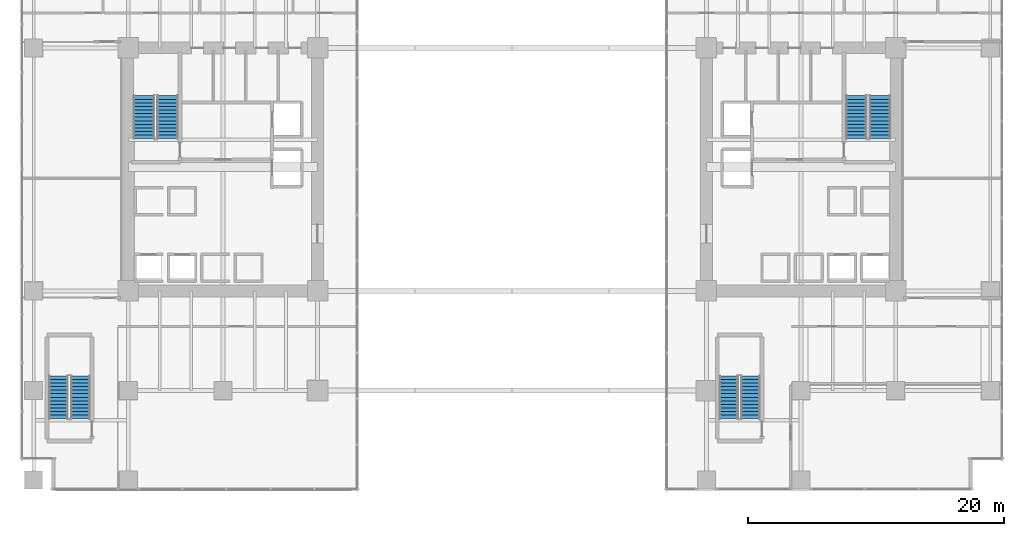
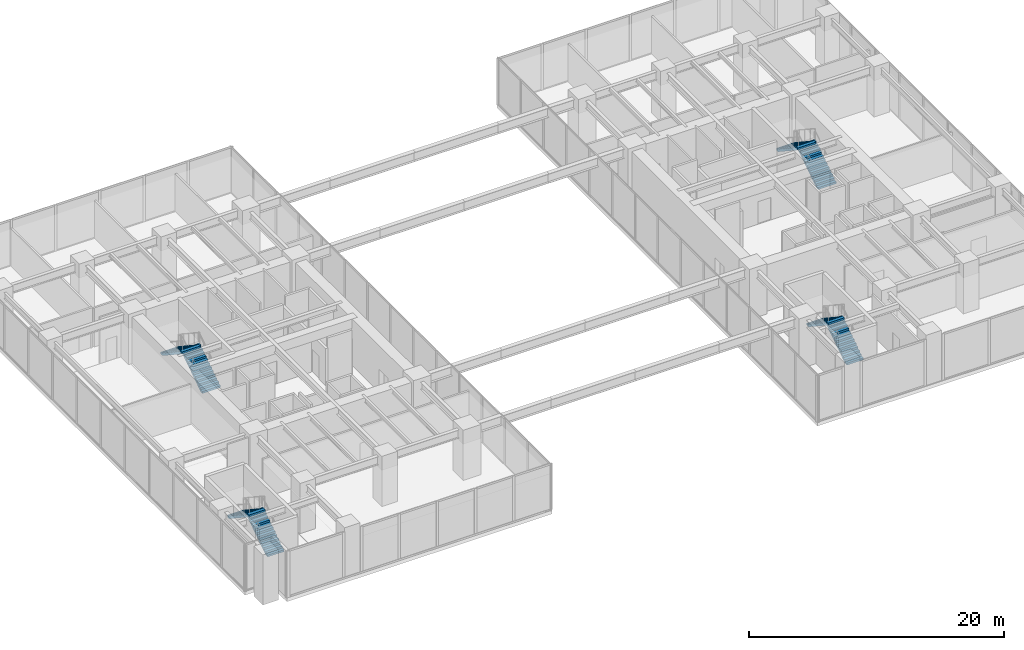
# One storey, part 34 of 39: 8 stair flights, 4 elements without a shape of their own.
"""IFC4 building model written with IfcOpenShell, lengths in metres."""

import ifcopenshell
import ifcopenshell.guid

model = None  # the IFC model being written
_history = None  # IfcOwnerHistory: only IFC2X3 demands one
_inside = {}  # id of a spatial element -> (the spatial element, [elements in it])
_under = {}  # id of a project, library or spatial element -> (it, [spatial elements below it])
_declared = {}  # id of a project -> (the project, [libraries it declares])
_typed = {}  # id of a type object -> (the type object, [elements of that type])
_made_of = {}  # id of a material, layer set ... -> (it, [elements and type objects made of it])


def new_model(schema):
    """Start an empty IFC model of exactly this schema.

    Asked for "IFC4X3", IfcOpenShell would pick the latest addendum, in which some entities
    have other attributes; the version numbers below select the first issue.
    IFC2X3 requires an IfcOwnerHistory on every rooted entity: one is made here for all.
    """
    global model, _history
    if schema == "IFC4X3":
        model = ifcopenshell.file(schema_version=(4, 3, 0, 0))
    else:
        model = ifcopenshell.file(schema=schema)
    _inside.clear()
    _under.clear()
    _declared.clear()
    _typed.clear()
    _made_of.clear()
    _history = None
    if model.schema == "IFC2X3":
        org = make("IfcOrganization", Name="unknown")
        user = make(
            "IfcPersonAndOrganization",
            ThePerson=make("IfcPerson", FamilyName="unknown"),
            TheOrganization=org,
        )
        app = make(
            "IfcApplication",
            ApplicationDeveloper=org,
            Version="unknown",
            ApplicationFullName="unknown",
            ApplicationIdentifier="unknown",
        )
        _history = make(
            "IfcOwnerHistory",
            OwningUser=user,
            OwningApplication=app,
            ChangeAction="ADDED",
            CreationDate=0,
        )
    return model


def make(cls, **values):
    """One entity of the class cls with the attributes given. An attribute that is None is left unset."""
    return model.create_entity(
        cls, **{name: value for name, value in values.items() if value is not None}
    )


def rooted(cls, **values):
    """An entity with a GlobalId (a new one), such as an element, a storey or a relation."""
    return make(cls, GlobalId=ifcopenshell.guid.new(), OwnerHistory=_history, **values)


def si_unit(unit_type, name, prefix=None):
    """IfcSIUnit, for example si_unit("LENGTHUNIT", "METRE", prefix="MILLI")."""
    return make("IfcSIUnit", UnitType=unit_type, Prefix=prefix, Name=name)


def assignment(units):
    """IfcUnitAssignment: the units of a project."""
    return None if units is None else make("IfcUnitAssignment", Units=units)


def point(xyz):
    """IfcCartesianPoint."""
    return None if xyz is None else make("IfcCartesianPoint", Coordinates=xyz)


def direction(xyz):
    """IfcDirection."""
    return None if xyz is None else make("IfcDirection", DirectionRatios=xyz)


def frame(location, z_axis=None, x_axis=None):
    """IfcAxis2Placement3D, a coordinate frame: its origin and axes. An axis left out is left unset."""
    return make(
        "IfcAxis2Placement3D",
        Location=point(location),
        Axis=direction(z_axis),
        RefDirection=direction(x_axis),
    )


def origin():
    """The frame at (0, 0, 0) with its axes left unset."""
    return frame((0.0, 0.0, 0.0))


def place(relative_to, where):
    """IfcLocalPlacement: puts the frame where relative to a parent placement (None: the world)."""
    return make(
        "IfcLocalPlacement", PlacementRelTo=relative_to, RelativePlacement=where
    )


def context(
    kind, dimensions, precision=None, world=None, true_north=None, identifier=None
):
    """IfcGeometricRepresentationContext, for example the 3D "Model" context."""
    return make(
        "IfcGeometricRepresentationContext",
        ContextIdentifier=identifier,
        ContextType=kind,
        CoordinateSpaceDimension=dimensions,
        Precision=precision,
        WorldCoordinateSystem=world,
        TrueNorth=true_north,
    )


def subcontext(parent, identifier, kind, view, scale=None):
    """IfcGeometricRepresentationSubContext, for example "Body" below "Model"."""
    return make(
        "IfcGeometricRepresentationSubContext",
        ContextIdentifier=identifier,
        ContextType=kind,
        ParentContext=parent,
        TargetScale=scale,
        TargetView=view,
    )


def project(units=None, contexts=None):
    """IfcProject with its units and contexts."""
    return rooted(
        "IfcProject",
        Name="project",
        RepresentationContexts=contexts,
        UnitsInContext=assignment(units),
    )


def spatial(cls, under=None, at=None, **own):
    """A site, building, storey or space (cls), placed at a placement, below another one or the project."""
    s = rooted(cls, ObjectPlacement=at, **own)
    if under is not None:
        _under.setdefault(under.id(), (under, []))[1].append(s)
    return s


def polyline(points):
    """IfcPolyline through the points."""
    return make("IfcPolyline", Points=[point(p) for p in points])


def outline(outer, holes=None, kind="AREA"):
    """IfcArbitraryClosedProfileDef: a profile drawn as a closed curve; with holes, ...WithVoids."""
    if holes is None:
        return make("IfcArbitraryClosedProfileDef", ProfileType=kind, OuterCurve=outer)
    return make(
        "IfcArbitraryProfileDefWithVoids",
        ProfileType=kind,
        OuterCurve=outer,
        InnerCurves=holes,
    )


def extrude(swept, where, along, depth):
    """IfcExtrudedAreaSolid: the profile swept, set in the frame where, extruded along a direction by depth."""
    return make(
        "IfcExtrudedAreaSolid",
        SweptArea=swept,
        Position=where,
        ExtrudedDirection=direction(along),
        Depth=depth,
    )


def shape(context_of_items, identifier, shape_type, items):
    """IfcShapeRepresentation: the items that make up one representation, for example the "Body"."""
    return make(
        "IfcShapeRepresentation",
        ContextOfItems=context_of_items,
        RepresentationIdentifier=identifier,
        RepresentationType=shape_type,
        Items=items,
    )


def source(mapping_origin, context_of_items, identifier, shape_type, items):
    """IfcRepresentationMap: a shape defined once, which mapped items show again and again."""
    return make(
        "IfcRepresentationMap",
        MappingOrigin=mapping_origin,
        MappedRepresentation=shape(context_of_items, identifier, shape_type, items),
    )


def transform(
    local_origin,
    x_axis=None,
    y_axis=None,
    z_axis=None,
    scale=None,
    scale2=None,
    scale3=None,
    uniform=True,
):
    """IfcCartesianTransformationOperator3D, or its non-uniform kind. x_axis, y_axis, z_axis: its Axis1, 2, 3."""
    if uniform:
        return make(
            "IfcCartesianTransformationOperator3D",
            Axis1=direction(x_axis),
            Axis2=direction(y_axis),
            LocalOrigin=point(local_origin),
            Scale=scale,
            Axis3=direction(z_axis),
        )
    return make(
        "IfcCartesianTransformationOperator3DnonUniform",
        Axis1=direction(x_axis),
        Axis2=direction(y_axis),
        LocalOrigin=point(local_origin),
        Scale=scale,
        Axis3=direction(z_axis),
        Scale2=scale2,
        Scale3=scale3,
    )


def mapped(mapping_source, mapping_target):
    """IfcMappedItem: shows the shape of a source again, moved by a transform."""
    return make(
        "IfcMappedItem", MappingSource=mapping_source, MappingTarget=mapping_target
    )


def material(Name=None, Category=None):
    """IfcMaterial."""
    return make("IfcMaterial", Name=Name, Category=Category)


def made_of(thing, what):
    """Note that an element or type object is made of a material, layer set ...; save() writes the relation."""
    if what is not None:
        _made_of.setdefault(what.id(), (what, []))[1].append(thing)
    return thing


def type_object(cls, material=None, **own):
    """A type object (cls), such as IfcWallType, which elements share."""
    return made_of(rooted(cls, **own), material)


def type_shapes(of_type, sources):
    """Give a type object the sources (RepresentationMaps) that its elements show as mapped items."""
    of_type.RepresentationMaps = sources


def element(
    cls,
    number,
    at=None,
    inside=None,
    cuts=None,
    type_object=None,
    material=None,
    context=None,
    identifier="Body",
    shape_type=None,
    held_by="IfcProductDefinitionShape",
    body=None,
    shapes=None,
    **own,
):
    """One element of the class cls, such as IfcWall. Its Tag is "e" and its number.

    at: its placement. inside: the storey or other place that contains it. cuts: it is an
    opening in that element (IfcRelVoidsElement). A single representation is given by context,
    identifier, shape_type and body (its items); several are given by shapes. held_by: the class
    of the entity that holds the representations. save() writes the other relations.
    """
    e = rooted(cls, Tag="e%d" % number, ObjectPlacement=at, **own)
    if body is not None:
        shapes = [shape(context, identifier, shape_type, body)]
    if shapes is not None:
        e.Representation = make(held_by, Representations=shapes)
    if inside is not None:
        _inside.setdefault(inside.id(), (inside, []))[1].append(e)
    if cuts is not None:
        rooted(
            "IfcRelVoidsElement", RelatingBuildingElement=cuts, RelatedOpeningElement=e
        )
    if type_object is not None:
        _typed.setdefault(type_object.id(), (type_object, []))[1].append(e)
    return made_of(e, material)


def aggregate(whole, parts):
    """IfcRelAggregates: a whole, such as a stair, and the parts it consists of."""
    return rooted("IfcRelAggregates", RelatingObject=whole, RelatedObjects=parts)


def save(model, path):
    """Write the relations noted so far, then the file.

    IfcRelAggregates (storeys below a building ...), IfcRelContainedInSpatialStructure (elements
    in a storey), IfcRelDefinesByType, IfcRelAssociatesMaterial and IfcRelDeclares: one each for
    every whole, place, type object, material and project.
    """
    for whole, parts in _under.values():
        aggregate(whole, parts)
    for where, things in _inside.values():
        rooted(
            "IfcRelContainedInSpatialStructure",
            RelatedElements=things,
            RelatingStructure=where,
        )
    for kind, things in _typed.values():
        rooted("IfcRelDefinesByType", RelatedObjects=things, RelatingType=kind)
    for what, things in _made_of.values():
        rooted("IfcRelAssociatesMaterial", RelatedObjects=things, RelatingMaterial=what)
    for by, libraries in _declared.values():
        rooted("IfcRelDeclares", RelatingContext=by, RelatedDefinitions=libraries)
    model.write(path)


model = new_model("IFC4")

# Units and contexts
model_context = context("Model", 3, precision=1e-05, world=origin(), true_north=direction((0.0, 1.0)))
body_context = subcontext(model_context, "Body", "Model", "MODEL_VIEW")
ifc_project = project(units=[si_unit("LENGTHUNIT", "METRE"), si_unit("AREAUNIT", "SQUARE_METRE"), si_unit("VOLUMEUNIT", "CUBIC_METRE"), si_unit("PLANEANGLEUNIT", "RADIAN"), si_unit("MASSUNIT", "GRAM", prefix="KILO")], contexts=[model_context])

# Site, building, storey
site_placement = place(None, origin())
site = spatial("IfcSite", under=ifc_project, at=site_placement, CompositionType="ELEMENT")
building_placement = place(site_placement, origin())
building = spatial("IfcBuilding", under=site, at=building_placement, Name="Haelvirn Gate Laboratories", CompositionType="ELEMENT")
storey_placement = place(building_placement, frame((0.0, 0.0, 15.0)))
storey = spatial("IfcBuildingStorey", under=building, at=storey_placement, Name="L04", CompositionType="ELEMENT", Elevation=15.0)

# Stair, stair flights
ifc_material = material(Name="Concrete C40/50", Category="concrete")
stair_type_1 = type_object("IfcStairType", Name="ST-DOG-1650-R26", PredefinedType="HALF_TURN_STAIR", material=ifc_material)
stair_1_placement = place(storey_placement, origin())
stair_1 = element("IfcStair", 1, at=stair_1_placement, inside=storey, type_object=stair_type_1, Name="L04 Escape Stair ST1", PredefinedType="HALF_TURN_STAIR")
stair_flight_type_1 = type_object("IfcStairFlightType", Name="STF-1650-R13", PredefinedType="STRAIGHT", material=ifc_material)
shared_shape_1 = source(origin(), body_context, "Body", "SweptSolid", [
    extrude(outline(polyline([(0.0, 0.0), (0.0, 0.1845703125), (0.280029296875, 0.1845703125), (0.280029296875, 0.369140625), (0.56005859375, 0.369140625), (0.56005859375, 0.553955078125), (0.840087890625, 0.553955078125), (0.840087890625, 0.738525390625), (1.1201171875, 0.738525390625), (1.1201171875, 0.923095703125), (1.39990234375, 0.923095703125), (1.39990234375, 1.107666015625), (1.679931640625, 1.107666015625), (1.679931640625, 1.292236328125), (1.9599609375, 1.292236328125), (1.9599609375, 1.476806640625), (2.239990234375, 1.476806640625), (2.239990234375, 1.66162109375), (2.52001953125, 1.66162109375), (2.52001953125, 1.84619140625), (2.800048828125, 1.84619140625), (2.800048828125, 2.03076171875), (3.080078125, 2.03076171875), (3.080078125, 2.21533203125), (3.360107421875, 2.21533203125), (3.360107421875, 2.39990234375), (3.360107421875, 2.02392578125), (0.29052734375, 0.0), (0.0, 0.0)])), frame((0.0, 0.824951171875, 0.0), z_axis=(0.0, -1.0, 0.0), x_axis=(1.0, 0.0, 0.0)), (0.0, 0.0, 1.0), 1.64990234375),
])
type_shapes(stair_flight_type_1, [shared_shape_1])
stair_flight_1_placement = place(storey_placement, frame((10.47509765625, 26.699951171875, 0.0), z_axis=(0.0, 0.0, 1.0), x_axis=(0.0, 1.0, 0.0)))
stair_flight_1 = element("IfcStairFlight", 2, at=stair_flight_1_placement, type_object=stair_flight_type_1, Name="ST1 flight 1", NumberOfRisers=13, NumberOfTreads=12, PredefinedType="STRAIGHT", RiserHeight=0.184615385, TreadLength=0.28, context=body_context, shape_type="MappedRepresentation", body=[
    mapped(shared_shape_1, transform((0.0, 0.0, 0.0), scale=1.0)),
])
stair_flight_2_placement = place(storey_placement, frame((8.625, 30.06005859375, 2.39990234375), z_axis=(0.0, 0.0, 1.0), x_axis=(0.0, -1.0, 0.0)))
stair_flight_2 = element("IfcStairFlight", 3, at=stair_flight_2_placement, type_object=stair_flight_type_1, Name="ST1 flight 2", NumberOfRisers=13, NumberOfTreads=12, PredefinedType="STRAIGHT", RiserHeight=0.184615385, TreadLength=0.28, context=body_context, shape_type="MappedRepresentation", body=[
    mapped(shared_shape_1, transform((0.0, 0.0, 0.0), scale=1.0)),
])
aggregate(stair_1, [stair_flight_1, stair_flight_2])

stair_2_placement = place(storey_placement, origin())
stair_2 = element("IfcStair", 4, at=stair_2_placement, inside=storey, type_object=stair_type_1, Name="L04 Escape Stair ST2", PredefinedType="HALF_TURN_STAIR")
stair_flight_3_placement = place(storey_placement, frame((66.175048828125, 26.699951171875, 0.0), z_axis=(0.0, 0.0, 1.0), x_axis=(0.0, 1.0, 0.0)))
stair_flight_3 = element("IfcStairFlight", 5, at=stair_flight_3_placement, type_object=stair_flight_type_1, Name="ST2 flight 1", NumberOfRisers=13, NumberOfTreads=12, PredefinedType="STRAIGHT", RiserHeight=0.184615385, TreadLength=0.28, context=body_context, shape_type="MappedRepresentation", body=[
    mapped(shared_shape_1, transform((0.0, 0.0, 0.0), scale=1.0)),
])
stair_flight_4_placement = place(storey_placement, frame((64.324951171875, 30.06005859375, 2.39990234375), z_axis=(0.0, 0.0, 1.0), x_axis=(0.0, -1.0, 0.0)))
stair_flight_4 = element("IfcStairFlight", 6, at=stair_flight_4_placement, type_object=stair_flight_type_1, Name="ST2 flight 2", NumberOfRisers=13, NumberOfTreads=12, PredefinedType="STRAIGHT", RiserHeight=0.184615385, TreadLength=0.28, context=body_context, shape_type="MappedRepresentation", body=[
    mapped(shared_shape_1, transform((0.0, 0.0, 0.0), scale=1.0)),
])
aggregate(stair_2, [stair_flight_3, stair_flight_4])

stair_type_2 = type_object("IfcStairType", Name="ST-DOG-1500-R26", PredefinedType="HALF_TURN_STAIR", material=ifc_material)
stair_3_placement = place(storey_placement, origin())
stair_3 = element("IfcStair", 7, at=stair_3_placement, inside=storey, type_object=stair_type_2, Name="L04 Escape Stair ST3", PredefinedType="HALF_TURN_STAIR")
stair_flight_type_2 = type_object("IfcStairFlightType", Name="STF-1500-R13", PredefinedType="STRAIGHT", material=ifc_material)
shared_shape_2 = source(origin(), body_context, "Body", "SweptSolid", [
    extrude(outline(polyline([(0.0, 0.0), (0.0, 0.1845703125), (0.280029296875, 0.1845703125), (0.280029296875, 0.369140625), (0.56005859375, 0.369140625), (0.56005859375, 0.553955078125), (0.840087890625, 0.553955078125), (0.840087890625, 0.738525390625), (1.1201171875, 0.738525390625), (1.1201171875, 0.923095703125), (1.39990234375, 0.923095703125), (1.39990234375, 1.107666015625), (1.679931640625, 1.107666015625), (1.679931640625, 1.292236328125), (1.9599609375, 1.292236328125), (1.9599609375, 1.476806640625), (2.239990234375, 1.476806640625), (2.239990234375, 1.66162109375), (2.52001953125, 1.66162109375), (2.52001953125, 1.84619140625), (2.800048828125, 1.84619140625), (2.800048828125, 2.03076171875), (3.080078125, 2.03076171875), (3.080078125, 2.21533203125), (3.360107421875, 2.21533203125), (3.360107421875, 2.39990234375), (3.360107421875, 2.02392578125), (0.29052734375, 0.0), (0.0, 0.0)])), frame((0.0, 0.75, 0.0), z_axis=(0.0, -1.0, 0.0), x_axis=(1.0, 0.0, 0.0)), (0.0, 0.0, 1.0), 1.5),
])
type_shapes(stair_flight_type_2, [shared_shape_2])
stair_flight_5_placement = place(storey_placement, frame((3.64990234375, 4.800048828125, 0.0), z_axis=(0.0, 0.0, 1.0), x_axis=(0.0, 1.0, 0.0)))
stair_flight_5 = element("IfcStairFlight", 8, at=stair_flight_5_placement, type_object=stair_flight_type_2, Name="ST3 flight 1", NumberOfRisers=13, NumberOfTreads=12, PredefinedType="STRAIGHT", RiserHeight=0.184615385, TreadLength=0.28, context=body_context, shape_type="MappedRepresentation", body=[
    mapped(shared_shape_2, transform((0.0, 0.0, 0.0), scale=1.0)),
])
stair_flight_6_placement = place(storey_placement, frame((1.949951171875, 8.159912109375, 2.39990234375), z_axis=(0.0, 0.0, 1.0), x_axis=(0.0, -1.0, 0.0)))
stair_flight_6 = element("IfcStairFlight", 9, at=stair_flight_6_placement, type_object=stair_flight_type_2, Name="ST3 flight 2", NumberOfRisers=13, NumberOfTreads=12, PredefinedType="STRAIGHT", RiserHeight=0.184615385, TreadLength=0.28, context=body_context, shape_type="MappedRepresentation", body=[
    mapped(shared_shape_2, transform((0.0, 0.0, 0.0), scale=1.0)),
])
aggregate(stair_3, [stair_flight_5, stair_flight_6])

stair_4_placement = place(storey_placement, origin())
stair_4 = element("IfcStair", 10, at=stair_4_placement, inside=storey, type_object=stair_type_2, Name="L04 Escape Stair ST4", PredefinedType="HALF_TURN_STAIR")
stair_flight_7_placement = place(storey_placement, frame((56.050048828125, 4.800048828125, 0.0), z_axis=(0.0, 0.0, 1.0), x_axis=(0.0, 1.0, 0.0)))
stair_flight_7 = element("IfcStairFlight", 11, at=stair_flight_7_placement, type_object=stair_flight_type_2, Name="ST4 flight 1", NumberOfRisers=13, NumberOfTreads=12, PredefinedType="STRAIGHT", RiserHeight=0.184615385, TreadLength=0.28, context=body_context, shape_type="MappedRepresentation", body=[
    mapped(shared_shape_2, transform((0.0, 0.0, 0.0), scale=1.0)),
])
stair_flight_8_placement = place(storey_placement, frame((54.35009765625, 8.159912109375, 2.39990234375), z_axis=(0.0, 0.0, 1.0), x_axis=(0.0, -1.0, 0.0)))
stair_flight_8 = element("IfcStairFlight", 12, at=stair_flight_8_placement, type_object=stair_flight_type_2, Name="ST4 flight 2", NumberOfRisers=13, NumberOfTreads=12, PredefinedType="STRAIGHT", RiserHeight=0.184615385, TreadLength=0.28, context=body_context, shape_type="MappedRepresentation", body=[
    mapped(shared_shape_2, transform((0.0, 0.0, 0.0), scale=1.0)),
])
aggregate(stair_4, [stair_flight_7, stair_flight_8])

save(model, "model.ifc")
